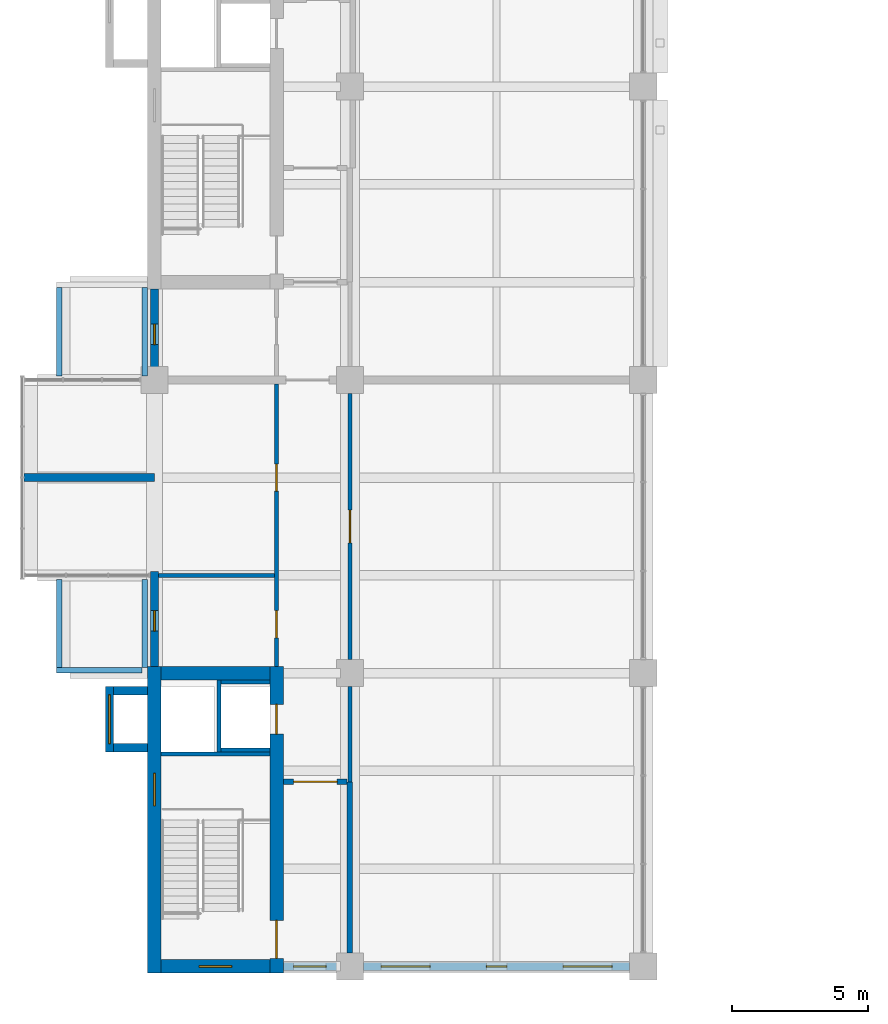
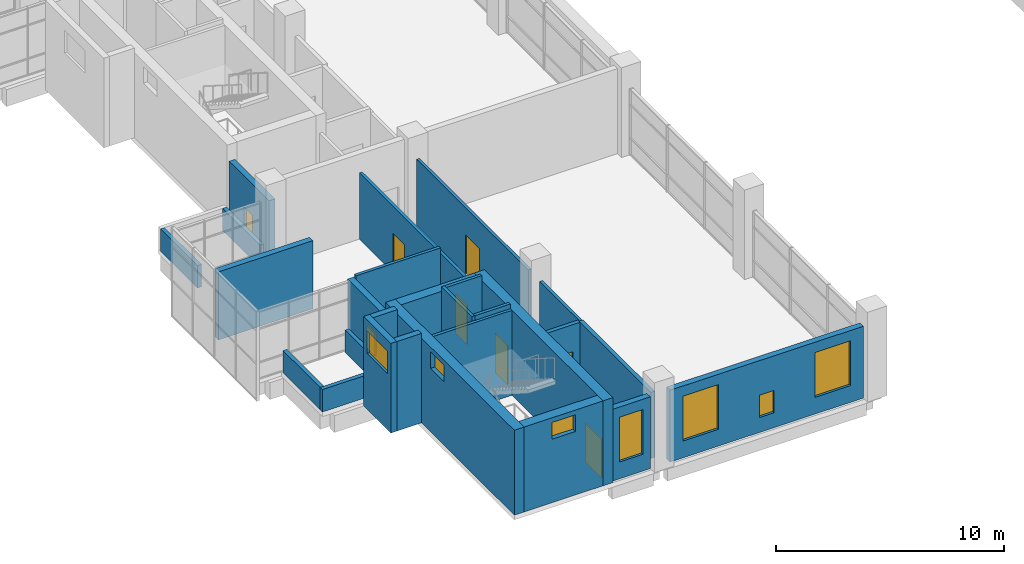
# One storey, part 35 of 44: 27 walls, 9 windows, 6 doors, 15 openings.
"""IFC4 building model written with IfcOpenShell, lengths in metres."""

from ifc_helpers import new_model, si_unit, direction, frame, frame_2d, origin, place, context, subcontext, project, spatial, rectangle, extrude, material, layer, layer_set, type_object, element, fill, save


model = new_model("IFC4")

# Units and contexts
model_context = context("Model", 3, precision=1e-05, world=origin(), true_north=direction((0.0, 1.0)))
body_context = subcontext(model_context, "Body", "Model", "MODEL_VIEW")
ifc_project = project(units=[si_unit("LENGTHUNIT", "METRE"), si_unit("AREAUNIT", "SQUARE_METRE"), si_unit("VOLUMEUNIT", "CUBIC_METRE"), si_unit("PLANEANGLEUNIT", "RADIAN"), si_unit("MASSUNIT", "GRAM", prefix="KILO")], contexts=[model_context])

# Site, building, storey
site_placement = place(None, origin())
site = spatial("IfcSite", under=ifc_project, at=site_placement, CompositionType="ELEMENT")
building_placement = place(site_placement, origin())
building = spatial("IfcBuilding", under=site, at=building_placement, Name="Basin Gate Institute", CompositionType="ELEMENT")
storey_placement = place(building_placement, frame((0.0, 0.0, 27.0)))
storey = spatial("IfcBuildingStorey", under=building, at=storey_placement, Name="L05", CompositionType="ELEMENT", Elevation=27.0)

# Wall
ifc_material_1 = material(Name="Aluminium-faced insulated panel wall", Category="aluminium")
ifc_layer_1 = layer(ifc_material_1, 0.300048828125)
ifc_layer_set_1 = layer_set([ifc_layer_1], Name="Capsule side wall EW2 EI 120")
wall_type_1 = type_object("IfcWallType", Name="Capsule side wall EW2 EI 120", PredefinedType="STANDARD", material=ifc_layer_set_1)
wall_1_placement = place(storey_placement, frame((56.39990234375, 53.10009765625, 0.0), z_axis=(0.0, 0.0, 1.0), x_axis=(1.0, 0.0, 0.0)))
element("IfcWall", 1, at=wall_1_placement, inside=storey, type_object=wall_type_1, material=ifc_layer_set_1, Name="Capsule side wall W wing L05 line 6", PredefinedType="STANDARD", context=body_context, shape_type="SweptSolid", body=[
    extrude(rectangle(XDim=4.800048828125, YDim=0.300048828125, at=frame_2d((2.39990234375, 0.0))), origin(), (0.0, 0.0, 1.0), 3.64990234375),
])

# Wall, opening, door
ifc_material_2 = material(Name="Fire-rated masonry", Category="masonry")
ifc_layer_2 = layer(ifc_material_2, 0.199951171875)
ifc_layer_set_2 = layer_set([ifc_layer_2], Name="Enclosure wall PW2 200 EI 60")
wall_type_2 = type_object("IfcWallType", Name="Enclosure wall PW2 200 EI 60", PredefinedType="PARTITIONING", material=ifc_layer_set_2)
wall_2_placement = place(storey_placement, frame((65.949951171875, 41.89990234375, 0.0), z_axis=(0.0, 0.0, 1.0), x_axis=(1.0, 0.0, 0.0)))
wall_2 = element("IfcWall", 2, at=wall_2_placement, inside=storey, type_object=wall_type_2, material=ifc_layer_set_2, Name="Smoke lobby enclosure wall PW2 L05", PredefinedType="PARTITIONING", context=body_context, shape_type="SweptSolid", body=[
    extrude(rectangle(XDim=2.35009765625, YDim=0.199951171875, at=frame_2d((1.175048828125, 0.0))), origin(), (0.0, 0.0, 1.0), 3.550048828125),
])
opening_1_placement = place(wall_2_placement, frame((0.375, 0.0, 0.0)))
opening_1 = element("IfcOpeningElement", 3, at=opening_1_placement, cuts=wall_2, Name="Opening DR276", PredefinedType="OPENING", context=body_context, shape_type="SweptSolid", body=[
    extrude(rectangle(XDim=1.60009765625, YDim=2.10009765625, at=frame_2d((0.800048828125, 1.050048828125))), frame((0.0, 0.10986328125, 0.0), z_axis=(0.0, -1.0, 0.0), x_axis=(1.0, 0.0, 0.0)), (0.0, 0.0, 1.0), 0.219970703125),
])
ifc_material_3 = material(Name="Steel fire door", Category="steel")
door_type_1 = type_object("IfcDoorType", Name="FD60 Smoke lobby door pair D8", OperationType="DOUBLE_DOOR_SINGLE_SWING", PredefinedType="DOOR", material=ifc_material_3)
door_1_placement = place(opening_1_placement, frame((1.60009765625, 0.0, 0.0), z_axis=(0.0, 0.0, 1.0), x_axis=(-1.0, 0.0, 0.0)))
door_1 = element("IfcDoor", 4, at=door_1_placement, inside=storey, type_object=door_type_1, material=ifc_material_3, Name="Smoke lobby door SS1 L05", OperationType="DOUBLE_DOOR_SINGLE_SWING", OverallHeight=2.10009765625, OverallWidth=1.60009765625, PredefinedType="DOOR", context=body_context, shape_type="SweptSolid", body=[
    extrude(rectangle(XDim=1.60009765625, YDim=2.10009765625, at=frame_2d((0.800048828125, 1.050048828125))), frame((0.0, 0.02490234375, 0.0), z_axis=(0.0, -1.0, 0.0), x_axis=(1.0, 0.0, 0.0)), (0.0, 0.0, 1.0), 0.050048828125),
])
fill(opening_1, door_1)

# Wall
wall_3_placement = place(storey_placement, frame((68.39990234375, 35.60009765625, 0.0), z_axis=(0.0, 0.0, 1.0), x_axis=(0.0, 1.0, 0.0)))
element("IfcWall", 5, at=wall_3_placement, inside=storey, type_object=wall_type_2, material=ifc_layer_set_2, Name="Smoke lobby enclosure wall PW2 L05", PredefinedType="PARTITIONING", context=body_context, shape_type="SweptSolid", body=[
    extrude(rectangle(XDim=6.2998046875, YDim=0.199951171875, at=frame_2d((3.14990234375, 0.0))), origin(), (0.0, 0.0, 1.0), 3.550048828125),
])

# Wall, opening, window
ifc_material_4 = material(Name="Aluminium-faced insulated panel wall", Category="aluminium")
ifc_layer_3 = layer(ifc_material_4, 0.300048828125)
ifc_layer_set_3 = layer_set([ifc_layer_3], Name="External wall EW1 EI 120")
wall_type_3 = type_object("IfcWallType", Name="External wall EW1 EI 120", PredefinedType="STANDARD", material=ifc_layer_set_3)
wall_4_placement = place(storey_placement, frame((61.199951171875, 46.14990234375, 0.0), z_axis=(0.0, 0.0, 1.0), x_axis=(0.0, 1.0, 0.0)))
wall_4 = element("IfcWall", 6, at=wall_4_placement, inside=storey, type_object=wall_type_3, material=ifc_layer_set_3, Name="External wall W facade L05 1", PredefinedType="STANDARD", context=body_context, shape_type="SweptSolid", body=[
    extrude(rectangle(XDim=3.5, YDim=0.300048828125, at=frame_2d((1.75, 0.0))), origin(), (0.0, 0.0, 1.0), 3.64990234375),
])
opening_2_placement = place(wall_4_placement, frame((1.300048828125, 0.0, 0.800048828125)))
opening_2 = element("IfcOpeningElement", 7, at=opening_2_placement, cuts=wall_4, Name="Opening WN3", PredefinedType="OPENING", context=body_context, shape_type="SweptSolid", body=[
    extrude(rectangle(XDim=0.75, YDim=1.199951171875, at=frame_2d((0.375, 0.60009765625))), frame((0.0, 0.16015625, 0.0), z_axis=(0.0, -1.0, 0.0), x_axis=(1.0, 0.0, 0.0)), (0.0, 0.0, 1.0), 0.320068359375),
])
ifc_material_5 = material(Name="Aluminium-framed double glazing", Category="aluminium")
window_type_1 = type_object("IfcWindowType", Name="Emergency entry panel WN3", PartitioningType="SINGLE_PANEL", PredefinedType="WINDOW", material=ifc_material_5)
window_1_placement = place(opening_2_placement, origin())
window_1 = element("IfcWindow", 8, at=window_1_placement, inside=storey, type_object=window_type_1, material=ifc_material_5, Name="Emergency entry panel W facade L05 bay 4", OverallHeight=1.199951171875, OverallWidth=0.75, PartitioningType="SINGLE_PANEL", PredefinedType="WINDOW", context=body_context, shape_type="SweptSolid", body=[
    extrude(rectangle(XDim=0.75, YDim=1.199951171875, at=frame_2d((0.375, 0.60009765625))), frame((0.0, 0.030029296875, 0.0), z_axis=(0.0, -1.0, 0.0), x_axis=(1.0, 0.0, 0.0)), (0.0, 0.0, 1.0), 0.06005859375),
])
fill(opening_2, window_1)

wall_5_placement = place(storey_placement, frame((61.199951171875, 56.550048828125, 0.0), z_axis=(0.0, 0.0, 1.0), x_axis=(0.0, 1.0, 0.0)))
wall_5 = element("IfcWall", 9, at=wall_5_placement, inside=storey, type_object=wall_type_3, material=ifc_layer_set_3, Name="External wall W facade L05 2", PredefinedType="STANDARD", context=body_context, shape_type="SweptSolid", body=[
    extrude(rectangle(XDim=3.5, YDim=0.300048828125, at=frame_2d((1.75, 0.0))), origin(), (0.0, 0.0, 1.0), 3.64990234375),
])
opening_3_placement = place(wall_5_placement, frame((1.449951171875, 0.0, 0.800048828125)))
opening_3 = element("IfcOpeningElement", 10, at=opening_3_placement, cuts=wall_5, Name="Opening WN3", PredefinedType="OPENING", context=body_context, shape_type="SweptSolid", body=[
    extrude(rectangle(XDim=0.75, YDim=1.199951171875, at=frame_2d((0.375, 0.60009765625))), frame((0.0, 0.16015625, 0.0), z_axis=(0.0, -1.0, 0.0), x_axis=(1.0, 0.0, 0.0)), (0.0, 0.0, 1.0), 0.320068359375),
])
window_2_placement = place(opening_3_placement, origin())
window_2 = element("IfcWindow", 11, at=window_2_placement, inside=storey, type_object=window_type_1, material=ifc_material_5, Name="Emergency entry panel W facade L05 bay 7", OverallHeight=1.199951171875, OverallWidth=0.75, PartitioningType="SINGLE_PANEL", PredefinedType="WINDOW", context=body_context, shape_type="SweptSolid", body=[
    extrude(rectangle(XDim=0.75, YDim=1.199951171875, at=frame_2d((0.375, 0.60009765625))), frame((0.0, 0.030029296875, 0.0), z_axis=(0.0, -1.0, 0.0), x_axis=(1.0, 0.0, 0.0)), (0.0, 0.0, 1.0), 0.06005859375),
])
fill(opening_3, window_2)

wall_6_placement = place(storey_placement, frame((65.949951171875, 35.10009765625, 0.0), z_axis=(0.0, 0.0, 1.0), x_axis=(1.0, 0.0, 0.0)))
wall_6 = element("IfcWall", 12, at=wall_6_placement, inside=storey, type_object=wall_type_3, material=ifc_layer_set_3, Name="External end wall W wing south L05 1", PredefinedType="STANDARD", context=body_context, shape_type="SweptSolid", body=[
    extrude(rectangle(XDim=1.949951171875, YDim=0.300048828125, at=frame_2d((0.97509765625, 0.0))), origin(), (0.0, 0.0, 1.0), 3.85009765625),
])
opening_4_placement = place(wall_6_placement, frame((0.375, 0.0, 0.89990234375)))
opening_4 = element("IfcOpeningElement", 13, at=opening_4_placement, cuts=wall_6, Name="Opening WN4", PredefinedType="OPENING", context=body_context, shape_type="SweptSolid", body=[
    extrude(rectangle(XDim=1.199951171875, YDim=2.39990234375, at=frame_2d((0.60009765625, 1.199951171875))), frame((0.0, 0.16015625, 0.0), z_axis=(0.0, -1.0, 0.0), x_axis=(1.0, 0.0, 0.0)), (0.0, 0.0, 1.0), 0.320068359375),
])
ifc_material_6 = material(Name="Aluminium-framed double glazing", Category="aluminium")
window_type_2 = type_object("IfcWindowType", Name="Corridor end window WN4", PartitioningType="SINGLE_PANEL", PredefinedType="WINDOW", material=ifc_material_6)
window_3_placement = place(opening_4_placement, origin())
window_3 = element("IfcWindow", 14, at=window_3_placement, inside=storey, type_object=window_type_2, material=ifc_material_6, Name="Corridor end window W wing S L05", OverallHeight=2.39990234375, OverallWidth=1.199951171875, PartitioningType="SINGLE_PANEL", PredefinedType="WINDOW", context=body_context, shape_type="SweptSolid", body=[
    extrude(rectangle(XDim=1.199951171875, YDim=2.39990234375, at=frame_2d((0.60009765625, 1.199951171875))), frame((0.0, 0.030029296875, 0.0), z_axis=(0.0, -1.0, 0.0), x_axis=(1.0, 0.0, 0.0)), (0.0, 0.0, 1.0), 0.06005859375),
])
fill(opening_4, window_3)

# Wall, openings, windows
wall_7_placement = place(storey_placement, frame((68.89990234375, 35.10009765625, 0.0), z_axis=(0.0, 0.0, 1.0), x_axis=(1.0, 0.0, 0.0)))
wall_7 = element("IfcWall", 15, at=wall_7_placement, inside=storey, type_object=wall_type_3, material=ifc_layer_set_3, Name="External end wall W wing south L05 2", PredefinedType="STANDARD", context=body_context, shape_type="SweptSolid", body=[
    extrude(rectangle(XDim=9.800048828125, YDim=0.300048828125, at=frame_2d((4.89990234375, 0.0))), origin(), (0.0, 0.0, 1.0), 3.85009765625),
])
opening_5_placement = place(wall_7_placement, frame((0.64990234375, 0.0, 0.89990234375)))
opening_5 = element("IfcOpeningElement", 16, at=opening_5_placement, cuts=wall_7, Name="Opening WN1", PredefinedType="OPENING", context=body_context, shape_type="SweptSolid", body=[
    extrude(rectangle(XDim=1.800048828125, YDim=2.39990234375, at=frame_2d((0.89990234375, 1.199951171875))), frame((0.0, 0.16015625, 0.0), z_axis=(0.0, -1.0, 0.0), x_axis=(1.0, 0.0, 0.0)), (0.0, 0.0, 1.0), 0.320068359375),
])
opening_6_placement = place(wall_7_placement, frame((4.52490234375, 0.0, 0.800048828125)))
opening_6 = element("IfcOpeningElement", 17, at=opening_6_placement, cuts=wall_7, Name="Opening WN3", PredefinedType="OPENING", context=body_context, shape_type="SweptSolid", body=[
    extrude(rectangle(XDim=0.75, YDim=1.199951171875, at=frame_2d((0.375, 0.60009765625))), frame((0.0, 0.16015625, 0.0), z_axis=(0.0, -1.0, 0.0), x_axis=(1.0, 0.0, 0.0)), (0.0, 0.0, 1.0), 0.320068359375),
])
opening_7_placement = place(wall_7_placement, frame((7.35009765625, 0.0, 0.89990234375)))
opening_7 = element("IfcOpeningElement", 18, at=opening_7_placement, cuts=wall_7, Name="Opening WN1", PredefinedType="OPENING", context=body_context, shape_type="SweptSolid", body=[
    extrude(rectangle(XDim=1.800048828125, YDim=2.39990234375, at=frame_2d((0.89990234375, 1.199951171875))), frame((0.0, 0.16015625, 0.0), z_axis=(0.0, -1.0, 0.0), x_axis=(1.0, 0.0, 0.0)), (0.0, 0.0, 1.0), 0.320068359375),
])
window_4_placement = place(opening_6_placement, origin())
window_4 = element("IfcWindow", 19, at=window_4_placement, inside=storey, type_object=window_type_1, material=ifc_material_5, Name="Emergency entry panel W wing end S L05 bay 2", OverallHeight=1.199951171875, OverallWidth=0.75, PartitioningType="SINGLE_PANEL", PredefinedType="WINDOW", context=body_context, shape_type="SweptSolid", body=[
    extrude(rectangle(XDim=0.75, YDim=1.199951171875, at=frame_2d((0.375, 0.60009765625))), frame((0.0, 0.030029296875, 0.0), z_axis=(0.0, -1.0, 0.0), x_axis=(1.0, 0.0, 0.0)), (0.0, 0.0, 1.0), 0.06005859375),
])
fill(opening_6, window_4)
ifc_material_7 = material(Name="Aluminium-framed double glazing", Category="aluminium")
window_type_3 = type_object("IfcWindowType", Name="Facade window WN1", PartitioningType="SINGLE_PANEL", PredefinedType="WINDOW", material=ifc_material_7)
window_5_placement = place(opening_5_placement, origin())
window_5 = element("IfcWindow", 20, at=window_5_placement, inside=storey, type_object=window_type_3, material=ifc_material_7, Name="Facade window W wing end S L05 bay 1", OverallHeight=2.39990234375, OverallWidth=1.800048828125, PartitioningType="SINGLE_PANEL", PredefinedType="WINDOW", context=body_context, shape_type="SweptSolid", body=[
    extrude(rectangle(XDim=1.800048828125, YDim=2.39990234375, at=frame_2d((0.89990234375, 1.199951171875))), frame((0.0, 0.030029296875, 0.0), z_axis=(0.0, -1.0, 0.0), x_axis=(1.0, 0.0, 0.0)), (0.0, 0.0, 1.0), 0.06005859375),
])
fill(opening_5, window_5)
window_6_placement = place(opening_7_placement, origin())
window_6 = element("IfcWindow", 21, at=window_6_placement, inside=storey, type_object=window_type_3, material=ifc_material_7, Name="Facade window W wing end S L05 bay 3", OverallHeight=2.39990234375, OverallWidth=1.800048828125, PartitioningType="SINGLE_PANEL", PredefinedType="WINDOW", context=body_context, shape_type="SweptSolid", body=[
    extrude(rectangle(XDim=1.800048828125, YDim=2.39990234375, at=frame_2d((0.89990234375, 1.199951171875))), frame((0.0, 0.030029296875, 0.0), z_axis=(0.0, -1.0, 0.0), x_axis=(1.0, 0.0, 0.0)), (0.0, 0.0, 1.0), 0.06005859375),
])
fill(opening_7, window_6)

# Walls
ifc_material_8 = material(Name="Concrete 40 MPa", Category="concrete")
ifc_layer_4 = layer(ifc_material_8, 0.199951171875)
ifc_layer_set_4 = layer_set([ifc_layer_4], Name="Concrete 40 MPa")
wall_type_4 = type_object("IfcWallType", Name="Parapet wall PA1", PredefinedType="PARAPET", material=ifc_layer_set_4)
wall_8_placement = place(storey_placement, frame((60.85009765625, 49.35009765625, 0.0), z_axis=(0.0, 0.0, 1.0), x_axis=(0.0, -1.0, 0.0)))
element("IfcWall", 22, at=wall_8_placement, inside=storey, type_object=wall_type_4, material=ifc_layer_set_4, Name="Parapet wall PA1 L05 W1", PredefinedType="PARAPET", context=body_context, shape_type="SweptSolid", body=[
    extrude(rectangle(XDim=3.25, YDim=0.199951171875, at=frame_2d((1.625, 0.0))), origin(), (0.0, 0.0, 1.0), 1.199951171875),
])
wall_9_placement = place(storey_placement, frame((60.75, 46.0, 0.0), z_axis=(0.0, 0.0, 1.0), x_axis=(-1.0, 0.0, 0.0)))
element("IfcWall", 23, at=wall_9_placement, inside=storey, type_object=wall_type_4, material=ifc_layer_set_4, Name="Parapet wall PA1 L05 W2", PredefinedType="PARAPET", context=body_context, shape_type="SweptSolid", body=[
    extrude(rectangle(XDim=3.14990234375, YDim=0.199951171875, at=frame_2d((1.574951171875, 0.0))), origin(), (0.0, 0.0, 1.0), 1.199951171875),
])
for number, where, z_axis, x_axis, name in (
    (24, (57.699951171875, 46.10009765625, 0.0), (0.0, 0.0, 1.0), (0.0, 1.0, 0.0), "Parapet wall PA1 L05 W3"),
    (25, (60.85009765625, 60.10009765625, 0.0), (0.0, 0.0, 1.0), (0.0, -1.0, 0.0), "Parapet wall PA1 L05 W5"),
    (26, (57.699951171875, 56.85009765625, 0.0), (0.0, 0.0, 1.0), (0.0, 1.0, 0.0), "Parapet wall PA1 L05 W6"),
):
    element("IfcWall", number, at=place(storey_placement, frame(where, z_axis=z_axis, x_axis=x_axis)), inside=storey, type_object=wall_type_4, material=ifc_layer_set_4, Name=name, PredefinedType="PARAPET", context=body_context, shape_type="SweptSolid", body=[
        extrude(rectangle(XDim=3.25, YDim=0.199951171875, at=frame_2d((1.625, 0.0))), origin(), (0.0, 0.0, 1.0), 1.199951171875),
    ])

# Wall, openings, doors
ifc_material_9 = material(Name="Gypsum board on steel stud", Category="steel")
ifc_layer_5 = layer(ifc_material_9, 0.14990234375)
ifc_layer_set_5 = layer_set([ifc_layer_5], Name="Gypsum board on steel stud")
wall_type_5 = type_object("IfcWallType", Name="Partition PW1 150 EI 60", PredefinedType="PARTITIONING", material=ifc_layer_set_5)
wall_10_placement = place(storey_placement, frame((65.699951171875, 46.14990234375, 0.0), z_axis=(0.0, 0.0, 1.0), x_axis=(0.0, 1.0, 0.0)))
wall_10 = element("IfcWall", 27, at=wall_10_placement, inside=storey, type_object=wall_type_5, material=ifc_layer_set_5, Name="Corridor wall PW1 L05", PredefinedType="PARTITIONING", context=body_context, shape_type="SweptSolid", body=[
    extrude(rectangle(XDim=10.400146484375, YDim=0.14990234375, at=frame_2d((5.2001953125, 0.0))), origin(), (0.0, 0.0, 1.0), 3.550048828125),
])
opening_8_placement = place(wall_10_placement, frame((1.050048828125, 0.0, 0.0)))
opening_8 = element("IfcOpeningElement", 28, at=opening_8_placement, cuts=wall_10, Name="Opening DR267", PredefinedType="OPENING", context=body_context, shape_type="SweptSolid", body=[
    extrude(rectangle(XDim=1.0, YDim=2.10009765625, at=frame_2d((0.5, 1.050048828125))), frame((0.0, 0.0849609375, 0.0), z_axis=(0.0, -1.0, 0.0), x_axis=(1.0, 0.0, 0.0)), (0.0, 0.0, 1.0), 0.169921875),
])
opening_9_placement = place(wall_10_placement, frame((6.449951171875, 0.0, 0.0)))
opening_9 = element("IfcOpeningElement", 29, at=opening_9_placement, cuts=wall_10, Name="Opening DR271", PredefinedType="OPENING", context=body_context, shape_type="SweptSolid", body=[
    extrude(rectangle(XDim=1.0, YDim=2.10009765625, at=frame_2d((0.5, 1.050048828125))), frame((0.0, 0.0849609375, 0.0), z_axis=(0.0, -1.0, 0.0), x_axis=(1.0, 0.0, 0.0)), (0.0, 0.0, 1.0), 0.169921875),
])
ifc_material_10 = material(Name="Timber fire door", Category="wood")
door_type_2 = type_object("IfcDoorType", Name="FD30 Office door D1", OperationType="NOTDEFINED", PredefinedType="DOOR", material=ifc_material_10)
door_2_placement = place(opening_9_placement, origin())
door_2 = element("IfcDoor", 30, at=door_2_placement, inside=storey, type_object=door_type_2, material=ifc_material_10, Name="Door to Seminar Room 0502 L05", OperationType="SINGLE_SWING_RIGHT", OverallHeight=2.10009765625, OverallWidth=1.0, PredefinedType="DOOR", context=body_context, shape_type="SweptSolid", body=[
    extrude(rectangle(XDim=1.0, YDim=2.10009765625, at=frame_2d((0.5, 1.050048828125))), frame((0.0, 0.02490234375, 0.0), z_axis=(0.0, -1.0, 0.0), x_axis=(1.0, 0.0, 0.0)), (0.0, 0.0, 1.0), 0.050048828125),
])
fill(opening_9, door_2)
ifc_material_11 = material(Name="Timber fire door", Category="wood")
door_type_3 = type_object("IfcDoorType", Name="FD30 Toilet door D3", OperationType="NOTDEFINED", PredefinedType="DOOR", material=ifc_material_11)
door_3_placement = place(opening_8_placement, origin())
door_3 = element("IfcDoor", 31, at=door_3_placement, inside=storey, type_object=door_type_3, material=ifc_material_11, Name="Door to Accessible WC L05", OperationType="SINGLE_SWING_LEFT", OverallHeight=2.10009765625, OverallWidth=1.0, PredefinedType="DOOR", context=body_context, shape_type="SweptSolid", body=[
    extrude(rectangle(XDim=1.0, YDim=2.10009765625, at=frame_2d((0.5, 1.050048828125))), frame((0.0, 0.02490234375, 0.0), z_axis=(0.0, -1.0, 0.0), x_axis=(1.0, 0.0, 0.0)), (0.0, 0.0, 1.0), 0.050048828125),
])
fill(opening_8, door_3)

# Wall
wall_11_placement = place(storey_placement, frame((68.39990234375, 41.89990234375, 0.0), z_axis=(0.0, 0.0, 1.0), x_axis=(0.0, 1.0, 0.0)))
element("IfcWall", 32, at=wall_11_placement, inside=storey, type_object=wall_type_5, material=ifc_layer_set_5, Name="Laboratory corridor wall PW1 L05", PredefinedType="PARTITIONING", context=body_context, shape_type="SweptSolid", body=[
    extrude(rectangle(XDim=3.5, YDim=0.14990234375, at=frame_2d((1.75, 0.0))), origin(), (0.0, 0.0, 1.0), 3.550048828125),
])

# Wall, opening, door
wall_12_placement = place(storey_placement, frame((68.39990234375, 46.39990234375, 0.0), z_axis=(0.0, 0.0, 1.0), x_axis=(0.0, 1.0, 0.0)))
wall_12 = element("IfcWall", 33, at=wall_12_placement, inside=storey, type_object=wall_type_5, material=ifc_layer_set_5, Name="Laboratory corridor wall PW1 L05", PredefinedType="PARTITIONING", context=body_context, shape_type="SweptSolid", body=[
    extrude(rectangle(XDim=9.800048828125, YDim=0.14990234375, at=frame_2d((4.89990234375, 0.0))), origin(), (0.0, 0.0, 1.0), 3.550048828125),
])
opening_10_placement = place(wall_12_placement, frame((4.300048828125, 0.0, 0.0)))
opening_10 = element("IfcOpeningElement", 34, at=opening_10_placement, cuts=wall_12, Name="Opening DR272", PredefinedType="OPENING", context=body_context, shape_type="SweptSolid", body=[
    extrude(rectangle(XDim=1.199951171875, YDim=2.10009765625, at=frame_2d((0.60009765625, 1.050048828125))), frame((0.0, 0.0849609375, 0.0), z_axis=(0.0, -1.0, 0.0), x_axis=(1.0, 0.0, 0.0)), (0.0, 0.0, 1.0), 0.169921875),
])
ifc_material_12 = material(Name="Timber fire door", Category="wood")
door_type_4 = type_object("IfcDoorType", Name="FD30 Laboratory door D2", OperationType="DOUBLE_DOOR_SINGLE_SWING", PredefinedType="DOOR", material=ifc_material_12)
door_4_placement = place(opening_10_placement, frame((1.199951171875, 0.0, 0.0), z_axis=(0.0, 0.0, 1.0), x_axis=(-1.0, 0.0, 0.0)))
door_4 = element("IfcDoor", 35, at=door_4_placement, inside=storey, type_object=door_type_4, material=ifc_material_12, Name="Door to Wet Laboratory 0514 L05", OperationType="DOUBLE_DOOR_SINGLE_SWING", OverallHeight=2.10009765625, OverallWidth=1.199951171875, PredefinedType="DOOR", context=body_context, shape_type="SweptSolid", body=[
    extrude(rectangle(XDim=1.199951171875, YDim=2.10009765625, at=frame_2d((0.60009765625, 1.050048828125))), frame((0.0, 0.02490234375, 0.0), z_axis=(0.0, -1.0, 0.0), x_axis=(1.0, 0.0, 0.0)), (0.0, 0.0, 1.0), 0.050048828125),
])
fill(opening_10, door_4)

# Walls
ifc_material_13 = material(Name="Gypsum board on steel stud", Category="steel")
ifc_layer_6 = layer(ifc_material_13, 0.14990234375)
ifc_layer_set_6 = layer_set([ifc_layer_6], Name="Gypsum board on steel stud")
wall_type_6 = type_object("IfcWallType", Name="Partition PW4 150", PredefinedType="PARTITIONING", material=ifc_layer_set_6)
wall_13_placement = place(storey_placement, frame((61.35009765625, 49.5, 0.0), z_axis=(0.0, 0.0, 1.0), x_axis=(1.0, 0.0, 0.0)))
element("IfcWall", 36, at=wall_13_placement, inside=storey, type_object=wall_type_6, material=ifc_layer_set_6, Name="Toilet partition PW4 L05", PredefinedType="PARTITIONING", context=body_context, shape_type="SweptSolid", body=[
    extrude(rectangle(XDim=4.27490234375, YDim=0.14990234375, at=frame_2d((2.137451171875, 0.0))), origin(), (0.0, 0.0, 1.0), 3.85009765625),
])
ifc_material_14 = material(Name="Concrete 40 MPa", Category="concrete")
ifc_layer_7 = layer(ifc_material_14, 0.14990234375)
ifc_layer_set_7 = layer_set([ifc_layer_7], Name="Concrete 40 MPa")
wall_type_7 = type_object("IfcWallType", Name="Wall LS1 lift shaft enclosure R120", PredefinedType="SOLIDWALL", material=ifc_layer_set_7)
wall_14_placement = place(storey_placement, frame((63.574951171875, 43.0, 0.0), z_axis=(0.0, 0.0, 1.0), x_axis=(0.0, 1.0, 0.0)))
element("IfcWall", 37, at=wall_14_placement, inside=storey, type_object=wall_type_7, material=ifc_layer_set_7, Name="Lift shaft enclosure LP1 L05 UL", PredefinedType="SOLIDWALL", context=body_context, shape_type="SweptSolid", body=[
    extrude(rectangle(XDim=2.64990234375, YDim=0.14990234375, at=frame_2d((1.324951171875, 0.0))), origin(), (0.0, 0.0, 1.0), 4.800048828125),
])
for number, where, z_axis, x_axis, name in (
    (38, (63.64990234375, 43.074951171875, 0.0), (0.0, 0.0, 1.0), (1.0, 0.0, 0.0), "Lift shaft enclosure LP1 L05 RL"),
    (39, (63.64990234375, 45.574951171875, 0.0), (0.0, 0.0, 1.0), (1.0, 0.0, 0.0), "Lift shaft enclosure LP1 L05 RH"),
):
    element("IfcWall", number, at=place(storey_placement, frame(where, z_axis=z_axis, x_axis=x_axis)), inside=storey, type_object=wall_type_7, material=ifc_layer_set_7, Name=name, PredefinedType="SOLIDWALL", context=body_context, shape_type="SweptSolid", body=[
        extrude(rectangle(XDim=1.800048828125, YDim=0.14990234375, at=frame_2d((0.89990234375, 0.0))), origin(), (0.0, 0.0, 1.0), 4.800048828125),
    ])
ifc_material_15 = material(Name="Concrete 40 MPa", Category="concrete")
ifc_layer_8 = layer(ifc_material_15, 0.14990234375)
ifc_layer_set_8 = layer_set([ifc_layer_8], Name="Concrete 40 MPa")
wall_type_8 = type_object("IfcWallType", Name="Wall SE1 stair enclosure R120", PredefinedType="SOLIDWALL", material=ifc_layer_set_8)
wall_15_placement = place(storey_placement, frame((61.449951171875, 42.925048828125, 0.0), z_axis=(0.0, 0.0, 1.0), x_axis=(1.0, 0.0, 0.0)))
element("IfcWall", 40, at=wall_15_placement, inside=storey, type_object=wall_type_8, material=ifc_layer_set_8, Name="Stair enclosure wall ST-WS L05", PredefinedType="SOLIDWALL", context=body_context, shape_type="SweptSolid", body=[
    extrude(rectangle(XDim=4.0, YDim=0.14990234375, at=frame_2d((2.0, 0.0))), origin(), (0.0, 0.0, 1.0), 4.550048828125),
])

# Wall, opening, window
ifc_material_16 = material(Name="Concrete 50 MPa", Category="concrete")
ifc_layer_9 = layer(ifc_material_16, 0.300048828125)
ifc_layer_set_9 = layer_set([ifc_layer_9], Name="Concrete 50 MPa")
wall_type_9 = type_object("IfcWallType", Name="Wall SK1 R120", PredefinedType="SHEAR", material=ifc_layer_set_9)
wall_16_placement = place(storey_placement, frame((59.550048828125, 43.0, 0.0), z_axis=(0.0, 0.0, 1.0), x_axis=(0.0, 1.0, 0.0)))
wall_16 = element("IfcWall", 41, at=wall_16_placement, inside=storey, type_object=wall_type_9, material=ifc_layer_set_9, Name="Spine riser stack wall SK1 WS F L05", PredefinedType="SHEAR", context=body_context, shape_type="SweptSolid", body=[
    extrude(rectangle(XDim=2.39990234375, YDim=0.300048828125, at=frame_2d((1.199951171875, 0.0))), origin(), (0.0, 0.0, 1.0), 4.800048828125),
])
opening_11_placement = place(wall_16_placement, frame((0.300048828125, 0.0, 3.0)))
opening_11 = element("IfcOpeningElement", 42, at=opening_11_placement, cuts=wall_16, Name="Opening WL2", PredefinedType="OPENING", context=body_context, shape_type="SweptSolid", body=[
    extrude(rectangle(XDim=1.800048828125, YDim=1.199951171875, at=frame_2d((0.89990234375, 0.60009765625))), frame((0.0, 0.16015625, 0.0), z_axis=(0.0, -1.0, 0.0), x_axis=(1.0, 0.0, 0.0)), (0.0, 0.0, 1.0), 0.320068359375),
])
ifc_material_17 = material(Name="Aluminium louvre blades with fire damper", Category="aluminium")
window_type_4 = type_object("IfcWindowType", Name="Riser louvre EI 120 WL2", PartitioningType="SINGLE_PANEL", PredefinedType="WINDOW", material=ifc_material_17)
window_7_placement = place(opening_11_placement, origin())
window_7 = element("IfcWindow", 43, at=window_7_placement, inside=storey, type_object=window_type_4, material=ifc_material_17, Name="Riser louvre EI 120 WS riser 1 L05", OverallHeight=1.199951171875, OverallWidth=1.800048828125, PartitioningType="SINGLE_PANEL", PredefinedType="WINDOW", context=body_context, shape_type="SweptSolid", body=[
    extrude(rectangle(XDim=1.800048828125, YDim=1.199951171875, at=frame_2d((0.89990234375, 0.60009765625))), frame((0.0, 0.030029296875, 0.0), z_axis=(0.0, -1.0, 0.0), x_axis=(1.0, 0.0, 0.0)), (0.0, 0.0, 1.0), 0.06005859375),
])
fill(opening_11, window_7)

# Walls
for number, where, z_axis, x_axis, name in (
    (44, (60.949951171875, 43.14990234375, 0.0), (0.0, 0.0, 1.0), (-1.0, 0.0, 0.0), "Spine riser stack wall SK1 WS A L05"),
    (45, (60.949951171875, 45.25, 0.0), (0.0, 0.0, 1.0), (-1.0, 0.0, 0.0), "Spine riser stack wall SK1 WS B L05"),
):
    element("IfcWall", number, at=place(storey_placement, frame(where, z_axis=z_axis, x_axis=x_axis)), inside=storey, type_object=wall_type_9, material=ifc_layer_set_9, Name=name, PredefinedType="SHEAR", context=body_context, shape_type="SweptSolid", body=[
        extrude(rectangle(XDim=1.25, YDim=0.300048828125, at=frame_2d((0.625, 0.0))), origin(), (0.0, 0.0, 1.0), 4.800048828125),
    ])

# Wall, opening, window
ifc_material_18 = material(Name="Concrete 60 MPa", Category="concrete")
ifc_layer_10 = layer(ifc_material_18, 0.5)
ifc_layer_set_10 = layer_set([ifc_layer_10], Name="Concrete 60 MPa")
wall_type_10 = type_object("IfcWallType", Name="Wall SW1 R120", PredefinedType="SHEAR", material=ifc_layer_set_10)
wall_17_placement = place(storey_placement, frame((61.199951171875, 34.85009765625, 0.0), z_axis=(0.0, 0.0, 1.0), x_axis=(0.0, 1.0, 0.0)))
wall_17 = element("IfcWall", 46, at=wall_17_placement, inside=storey, type_object=wall_type_10, material=ifc_layer_set_10, Name="WALL/L05/WS/L", PredefinedType="SHEAR", context=body_context, shape_type="SweptSolid", body=[
    extrude(rectangle(XDim=11.2998046875, YDim=0.5, at=frame_2d((5.64990234375, 0.0))), origin(), (0.0, 0.0, 1.0), 4.550048828125),
])
opening_12_placement = place(wall_17_placement, frame((6.159912109375, 0.0, 3.39990234375)))
opening_12 = element("IfcOpeningElement", 47, at=opening_12_placement, cuts=wall_17, Name="Opening WT2", PredefinedType="OPENING", context=body_context, shape_type="SweptSolid", body=[
    extrude(rectangle(XDim=1.199951171875, YDim=0.89990234375, at=frame_2d((0.60009765625, 0.449951171875))), frame((0.0, 0.260009765625, 0.0), z_axis=(0.0, -1.0, 0.0), x_axis=(1.0, 0.0, 0.0)), (0.0, 0.0, 1.0), 0.52001953125),
])
ifc_material_19 = material(Name="Fire-resistant glazing in steel-free frame", Category="steel")
window_type_5 = type_object("IfcWindowType", Name="Rated stair window EI 120 WT2", PartitioningType="SINGLE_PANEL", PredefinedType="WINDOW", material=ifc_material_19)
window_8_placement = place(opening_12_placement, origin())
window_8 = element("IfcWindow", 48, at=window_8_placement, inside=storey, type_object=window_type_5, material=ifc_material_19, Name="Rated stair window EI 120 WS landing L05", OverallHeight=0.89990234375, OverallWidth=1.199951171875, PartitioningType="SINGLE_PANEL", PredefinedType="WINDOW", context=body_context, shape_type="SweptSolid", body=[
    extrude(rectangle(XDim=1.199951171875, YDim=0.89990234375, at=frame_2d((0.60009765625, 0.449951171875))), frame((0.0, 0.030029296875, 0.0), z_axis=(0.0, -1.0, 0.0), x_axis=(1.0, 0.0, 0.0)), (0.0, 0.0, 1.0), 0.06005859375),
])
fill(opening_12, window_8)

# Wall, openings, doors
wall_18_placement = place(storey_placement, frame((65.699951171875, 34.85009765625, 0.0), z_axis=(0.0, 0.0, 1.0), x_axis=(0.0, 1.0, 0.0)))
wall_18 = element("IfcWall", 49, at=wall_18_placement, inside=storey, type_object=wall_type_10, material=ifc_layer_set_10, Name="WALL/L05/WS/C", PredefinedType="SHEAR", context=body_context, shape_type="SweptSolid", body=[
    extrude(rectangle(XDim=11.2998046875, YDim=0.5, at=frame_2d((5.64990234375, 0.0))), origin(), (0.0, 0.0, 1.0), 4.550048828125),
])
opening_13_placement = place(wall_18_placement, frame((0.550048828125, 0.0, 0.0)))
opening_13 = element("IfcOpeningElement", 50, at=opening_13_placement, cuts=wall_18, Name="Opening DS031", PredefinedType="OPENING", context=body_context, shape_type="SweptSolid", body=[
    extrude(rectangle(XDim=1.39990234375, YDim=2.10009765625, at=frame_2d((0.699951171875, 1.050048828125))), frame((0.0, 0.260009765625, 0.0), z_axis=(0.0, -1.0, 0.0), x_axis=(1.0, 0.0, 0.0)), (0.0, 0.0, 1.0), 0.52001953125),
])
opening_14_placement = place(wall_18_placement, frame((8.800048828125, 0.0, 0.0)))
opening_14 = element("IfcOpeningElement", 51, at=opening_14_placement, cuts=wall_18, Name="Opening LD008", PredefinedType="OPENING", context=body_context, shape_type="SweptSolid", body=[
    extrude(rectangle(XDim=1.10009765625, YDim=2.10009765625, at=frame_2d((0.550048828125, 1.050048828125))), frame((0.0, 0.260009765625, 0.0), z_axis=(0.0, -1.0, 0.0), x_axis=(1.0, 0.0, 0.0)), (0.0, 0.0, 1.0), 0.52001953125),
])
ifc_material_20 = material(Name="Steel fire door", Category="steel")
door_type_5 = type_object("IfcDoorType", Name="FD30 Stair enclosure door DS", OperationType="DOUBLE_DOOR_SINGLE_SWING", PredefinedType="DOOR", material=ifc_material_20)
door_5_placement = place(opening_13_placement, origin())
door_5 = element("IfcDoor", 52, at=door_5_placement, inside=storey, type_object=door_type_5, material=ifc_material_20, Name="Stair enclosure door ST-WS L05", OperationType="DOUBLE_DOOR_SINGLE_SWING", OverallHeight=2.10009765625, OverallWidth=1.39990234375, PredefinedType="DOOR", context=body_context, shape_type="SweptSolid", body=[
    extrude(rectangle(XDim=1.39990234375, YDim=2.10009765625, at=frame_2d((0.699951171875, 1.050048828125))), frame((0.0, 0.02490234375, 0.0), z_axis=(0.0, -1.0, 0.0), x_axis=(1.0, 0.0, 0.0)), (0.0, 0.0, 1.0), 0.050048828125),
])
fill(opening_13, door_5)
ifc_material_21 = material(Name="Stainless steel", Category="steel")
door_type_6 = type_object("IfcDoorType", Name="FD60 Lift landing door LD", OperationType="SLIDING_TO_LEFT", PredefinedType="DOOR", material=ifc_material_21)
door_6_placement = place(opening_14_placement, origin())
door_6 = element("IfcDoor", 53, at=door_6_placement, inside=storey, type_object=door_type_6, material=ifc_material_21, Name="Lift landing door LP1 L05", OperationType="SLIDING_TO_LEFT", OverallHeight=2.10009765625, OverallWidth=1.10009765625, PredefinedType="DOOR", context=body_context, shape_type="SweptSolid", body=[
    extrude(rectangle(XDim=1.10009765625, YDim=2.10009765625, at=frame_2d((0.550048828125, 1.050048828125))), frame((0.0, 0.02490234375, 0.0), z_axis=(0.0, -1.0, 0.0), x_axis=(1.0, 0.0, 0.0)), (0.0, 0.0, 1.0), 0.050048828125),
])
fill(opening_14, door_6)

# Wall, opening, window
wall_19_placement = place(storey_placement, frame((61.449951171875, 35.10009765625, 0.0), z_axis=(0.0, 0.0, 1.0), x_axis=(1.0, 0.0, 0.0)))
wall_19 = element("IfcWall", 54, at=wall_19_placement, inside=storey, type_object=wall_type_10, material=ifc_layer_set_10, Name="WALL/L05/WS/S", PredefinedType="SHEAR", context=body_context, shape_type="SweptSolid", body=[
    extrude(rectangle(XDim=4.0, YDim=0.5, at=frame_2d((2.0, 0.0))), origin(), (0.0, 0.0, 1.0), 4.550048828125),
])
opening_15_placement = place(wall_19_placement, frame((1.39990234375, 0.0, 3.39990234375)))
opening_15 = element("IfcOpeningElement", 55, at=opening_15_placement, cuts=wall_19, Name="Opening WT2", PredefinedType="OPENING", context=body_context, shape_type="SweptSolid", body=[
    extrude(rectangle(XDim=1.199951171875, YDim=0.89990234375, at=frame_2d((0.60009765625, 0.449951171875))), frame((0.0, 0.260009765625, 0.0), z_axis=(0.0, -1.0, 0.0), x_axis=(1.0, 0.0, 0.0)), (0.0, 0.0, 1.0), 0.52001953125),
])
window_9_placement = place(opening_15_placement, origin())
window_9 = element("IfcWindow", 56, at=window_9_placement, inside=storey, type_object=window_type_5, material=ifc_material_19, Name="Rated stair window EI 120 WS end L05", OverallHeight=0.89990234375, OverallWidth=1.199951171875, PartitioningType="SINGLE_PANEL", PredefinedType="WINDOW", context=body_context, shape_type="SweptSolid", body=[
    extrude(rectangle(XDim=1.199951171875, YDim=0.89990234375, at=frame_2d((0.60009765625, 0.449951171875))), frame((0.0, 0.030029296875, 0.0), z_axis=(0.0, -1.0, 0.0), x_axis=(1.0, 0.0, 0.0)), (0.0, 0.0, 1.0), 0.06005859375),
])
fill(opening_15, window_9)

# Wall
wall_20_placement = place(storey_placement, frame((61.449951171875, 45.89990234375, 0.0), z_axis=(0.0, 0.0, 1.0), x_axis=(1.0, 0.0, 0.0)))
element("IfcWall", 57, at=wall_20_placement, inside=storey, type_object=wall_type_10, material=ifc_layer_set_10, Name="WALL/L05/WS/N", PredefinedType="SHEAR", context=body_context, shape_type="SweptSolid", body=[
    extrude(rectangle(XDim=4.0, YDim=0.5, at=frame_2d((2.0, 0.0))), origin(), (0.0, 0.0, 1.0), 4.550048828125),
])

save(model, "model.ifc")
